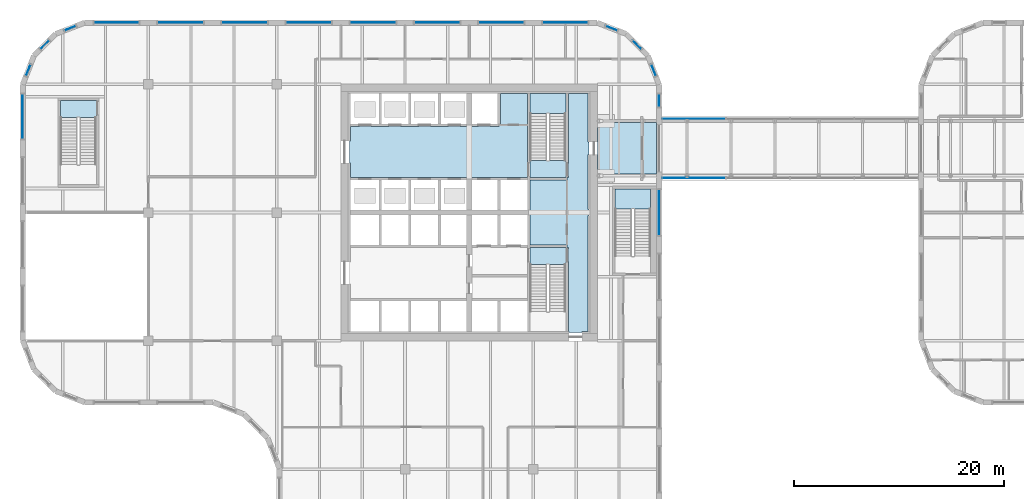
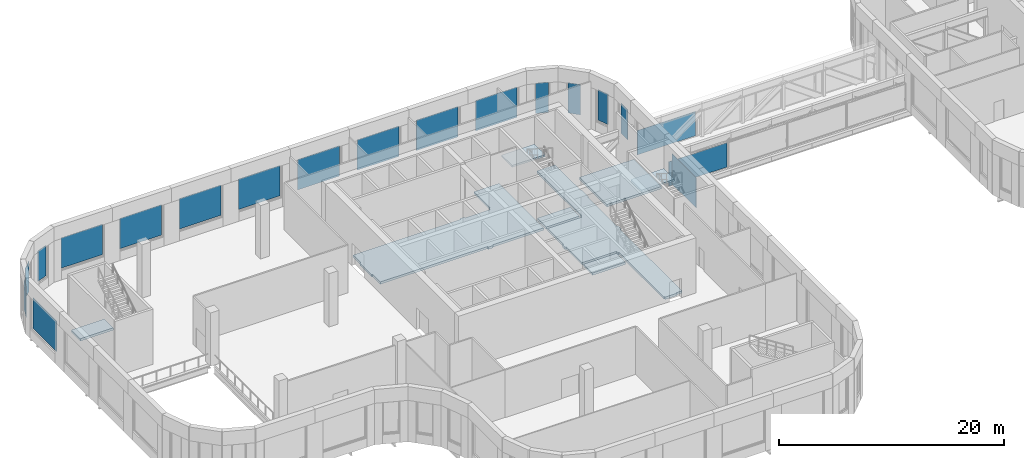
# One storey, part 17 of 36: 19 plates, 8 slabs, 21 elements without a shape of their own.
"""IFC4 building model written with IfcOpenShell, lengths in metres."""

from ifc_helpers import new_model, si_unit, direction, frame, origin, origin_2d, place, context, subcontext, project, spatial, polyline, rectangle, outline, extrude, material, layer, layer_set, type_object, element, aggregate, save


model = new_model("IFC4")

# Units and contexts
model_context = context("Model", 3, precision=1e-05, world=origin(), true_north=direction((0.0, 1.0)))
body_context = subcontext(model_context, "Body", "Model", "MODEL_VIEW")
ifc_project = project(units=[si_unit("LENGTHUNIT", "METRE"), si_unit("AREAUNIT", "SQUARE_METRE"), si_unit("VOLUMEUNIT", "CUBIC_METRE"), si_unit("PLANEANGLEUNIT", "RADIAN"), si_unit("MASSUNIT", "GRAM", prefix="KILO")], contexts=[model_context])

# Site, building, storey
site_placement = place(None, origin())
site = spatial("IfcSite", under=ifc_project, at=site_placement, CompositionType="ELEMENT")
building_placement = place(site_placement, origin())
building = spatial("IfcBuilding", under=site, at=building_placement, Name="Tessera Gate Towers", CompositionType="ELEMENT")
storey_placement = place(building_placement, frame((0.0, 0.0, 106.60009765625)))
storey = spatial("IfcBuildingStorey", under=building, at=storey_placement, Name="L26", CompositionType="ELEMENT", Elevation=106.60009765625)

# Slabs
ifc_material_1 = material(Name="Concrete C35/45", Category="concrete")
ifc_layer_1 = layer(ifc_material_1, 0.25)
ifc_layer_set_1 = layer_set([ifc_layer_1], Name="COMPOSITE FLOOR 250")
slab_type_1 = type_object("IfcSlabType", Name="COMPOSITE FLOOR 250", PredefinedType="FLOOR", material=ifc_layer_set_1)
slab_1_placement = place(storey_placement, frame((0.0, 0.0, -0.25)))
element("IfcSlab", 1, at=slab_1_placement, inside=storey, type_object=slab_type_1, Name="T1-L26-B1", PredefinedType="FLOOR", context=body_context, shape_type="SweptSolid", body=[
    extrude(outline(polyline([(54.89990234375, 40.2509765625), (60.5, 40.2509765625), (60.5, 45.14892578125), (54.89990234375, 45.14892578125), (54.89990234375, 40.2509765625)])), origin(), (0.0, 0.0, 1.0), 0.25),
])
ifc_material_2 = material(Name="Concrete C35/45", Category="concrete")
ifc_layer_2 = layer(ifc_material_2, 0.25)
ifc_layer_set_2 = layer_set([ifc_layer_2], Name="CORE FLOOR SLAB 250")
slab_type_2 = type_object("IfcSlabType", Name="CORE FLOOR SLAB 250", PredefinedType="FLOOR", material=ifc_layer_set_2)
slab_2_placement = place(storey_placement, frame((0.0, 0.0, -0.25)))
element("IfcSlab", 2, at=slab_2_placement, inside=storey, type_object=slab_type_2, Name="L26 core floor slab", PredefinedType="FLOOR", context=body_context, shape_type="SweptSolid", body=[
    extrude(outline(polyline([(42.449951171875, 44.89990234375), (42.449951171875, 44.77490234375), (31.39990234375, 44.77490234375), (31.39990234375, 43.39990234375), (31.300048828125, 43.39990234375), (31.300048828125, 41.300048828125), (31.39990234375, 41.300048828125), (31.39990234375, 39.925048828125), (42.449951171875, 39.925048828125), (42.449951171875, 39.800048828125), (42.949951171875, 39.800048828125), (42.949951171875, 39.925048828125), (48.22509765625, 39.925048828125), (48.22509765625, 47.89990234375), (45.64990234375, 47.89990234375), (45.64990234375, 45.02490234375), (45.52490234375, 45.02490234375), (45.52490234375, 44.77490234375), (42.949951171875, 44.77490234375), (42.949951171875, 44.89990234375), (42.449951171875, 44.89990234375)])), origin(), (0.0, 0.0, 1.0), 0.25),
])
slab_3_placement = place(storey_placement, frame((0.0, 0.0, -0.25)))
element("IfcSlab", 3, at=slab_3_placement, inside=storey, type_object=slab_type_2, Name="L26 core floor slab", PredefinedType="FLOOR", context=body_context, shape_type="SweptSolid", body=[
    extrude(outline(polyline([(48.35009765625, 36.85009765625), (48.35009765625, 36.35009765625), (48.47509765625, 36.35009765625), (48.47509765625, 33.52490234375), (52.0, 33.52490234375), (52.0, 33.27490234375), (52.125, 33.27490234375), (52.125, 25.300048828125), (52.199951171875, 25.300048828125), (52.199951171875, 25.199951171875), (53.39990234375, 25.199951171875), (53.39990234375, 25.300048828125), (54.0, 25.300048828125), (54.0, 36.320068359375), (54.10009765625, 36.320068359375), (54.10009765625, 36.8798828125), (54.0, 36.8798828125), (54.0, 42.10009765625), (54.10009765625, 42.10009765625), (54.10009765625, 43.300048828125), (54.0, 43.300048828125), (54.0, 47.89990234375), (52.125, 47.89990234375), (52.125, 39.925048828125), (52.0, 39.925048828125), (52.0, 39.675048828125), (48.47509765625, 39.675048828125), (48.47509765625, 36.85009765625), (48.35009765625, 36.85009765625)])), origin(), (0.0, 0.0, 1.0), 0.25),
])
slab_4_placement = place(storey_placement, frame((0.0, 0.0, -0.25)))
element("IfcSlab", 4, at=slab_4_placement, inside=storey, type_object=slab_type_2, Name="L26 core floor slab", PredefinedType="FLOOR", context=body_context, shape_type="SweptSolid", body=[
    extrude(outline(polyline([(48.47509765625, 33.27490234375), (48.47509765625, 31.675048828125), (51.875, 31.675048828125), (51.875, 33.27490234375), (48.47509765625, 33.27490234375)])), origin(), (0.0, 0.0, 1.0), 0.25),
])
slab_5_placement = place(storey_placement, frame((0.0, 0.0, -0.25)))
element("IfcSlab", 5, at=slab_5_placement, inside=storey, type_object=slab_type_2, Name="L26 core floor slab", PredefinedType="FLOOR", context=body_context, shape_type="SweptSolid", body=[
    extrude(outline(polyline([(48.47509765625, 41.52490234375), (48.47509765625, 39.925048828125), (51.875, 39.925048828125), (51.875, 41.52490234375), (48.47509765625, 41.52490234375)])), origin(), (0.0, 0.0, 1.0), 0.25),
])
slab_6_placement = place(storey_placement, frame((0.0, 0.0, -0.25)))
element("IfcSlab", 6, at=slab_6_placement, inside=storey, type_object=slab_type_2, Name="L26 ST3 floor landing", PredefinedType="FLOOR", context=body_context, shape_type="SweptSolid", body=[
    extrude(outline(polyline([(3.85009765625, 47.25), (3.85009765625, 45.64990234375), (7.25, 45.64990234375), (7.25, 47.25), (3.85009765625, 47.25)])), origin(), (0.0, 0.0, 1.0), 0.25),
])

# Stair, slab
ifc_material_3 = material(Name="Concrete C40/50", Category="concrete")
stair_type_1 = type_object("IfcStairType", Name="EXIT STAIR ST2C 1600", PredefinedType="HALF_TURN_STAIR", material=ifc_material_3)
stair_1_placement = place(storey_placement, origin())
stair_1 = element("IfcStair", 7, at=stair_1_placement, inside=storey, type_object=stair_type_1, Name="L26 Protected Exit Stair ST2", PredefinedType="HALF_TURN_STAIR")
ifc_material_4 = material(Name="Concrete C40/50", Category="concrete")
ifc_layer_3 = layer(ifc_material_4, 0.199951171875)
ifc_layer_set_3 = layer_set([ifc_layer_3], Name="EXIT STAIR LANDING 200")
slab_type_3 = type_object("IfcSlabType", Name="EXIT STAIR LANDING 200", PredefinedType="LANDING", material=ifc_layer_set_3)
slab_7_placement = place(storey_placement, frame((0.0, 0.0, 2.7998046875)))
slab_7 = element("IfcSlab", 8, at=slab_7_placement, type_object=slab_type_3, Name="ST2 landing 1", PredefinedType="LANDING", context=body_context, shape_type="SweptSolid", body=[
    extrude(outline(polyline([(51.875, 46.0048828125), (51.875, 47.89990234375), (48.47509765625, 47.89990234375), (48.47509765625, 46.0048828125), (51.875, 46.0048828125)])), origin(), (0.0, 0.0, 1.0), 0.2001953125),
])
aggregate(stair_1, [slab_7])

ifc_material_5 = material(Name="Concrete C40/50", Category="concrete")
stair_type_2 = type_object("IfcStairType", Name="EXIT STAIR ST5E 1600", PredefinedType="HALF_TURN_STAIR", material=ifc_material_5)
stair_2_placement = place(storey_placement, origin())
stair_2 = element("IfcStair", 9, at=stair_2_placement, inside=storey, type_object=stair_type_2, Name="L26 East Exit Stair ST5", PredefinedType="HALF_TURN_STAIR")
slab_8_placement = place(storey_placement, frame((0.0, 0.0, 2.7998046875)))
slab_8 = element("IfcSlab", 10, at=slab_8_placement, type_object=slab_type_3, Name="ST5 landing 1", PredefinedType="LANDING", context=body_context, shape_type="SweptSolid", body=[
    extrude(outline(polyline([(59.949951171875, 36.929931640625), (59.949951171875, 38.85009765625), (56.550048828125, 38.85009765625), (56.550048828125, 36.929931640625), (59.949951171875, 36.929931640625)])), origin(), (0.0, 0.0, 1.0), 0.2001953125),
])
aggregate(stair_2, [slab_8])

# Curtain wall, plate
ifc_material_6 = material(Name="Aluminium frame", Category="aluminium")
curtain_wall_type_1 = type_object("IfcCurtainWallType", Name="CW-S3 amenity floor glazing", PredefinedType="NOTDEFINED", material=ifc_material_6)
curtain_wall_1_placement = place(storey_placement, origin())
curtain_wall_1 = element("IfcCurtainWall", 11, at=curtain_wall_1_placement, inside=storey, type_object=curtain_wall_type_1, Name="Curtain wall amenity floor glazing 0013", PredefinedType="NOTDEFINED")
ifc_material_7 = material(Name="Low-e laminated glass", Category="glass")
ifc_layer_4 = layer(ifc_material_7, 0.035888671875)
ifc_layer_set_4 = layer_set([ifc_layer_4], Name="PN-S3 glass panel 36")
plate_type_1 = type_object("IfcPlateType", Name="PN-S3 glass panel 36", PredefinedType="CURTAIN_PANEL", material=ifc_layer_set_4)
plate_1_placement = place(storey_placement, frame((60.75, 36.60009765625, 1.10009765625), z_axis=(0.0, 0.0, 1.0), x_axis=(0.0, 1.0, 0.0)))
plate_1 = element("IfcPlate", 12, at=plate_1_placement, type_object=plate_type_1, Name="T1-CW3-0013 panel 1.1", PredefinedType="CURTAIN_PANEL", context=body_context, shape_type="SweptSolid", body=[
    extrude(rectangle(XDim=4.300048828125, YDim=0.035888671875, at=origin_2d()), origin(), (0.0, 0.0, 1.0), 3.300048828125),
])
aggregate(curtain_wall_1, [plate_1])

curtain_wall_2_placement = place(storey_placement, origin())
curtain_wall_2 = element("IfcCurtainWall", 13, at=curtain_wall_2_placement, inside=storey, type_object=curtain_wall_type_1, Name="Curtain wall amenity floor glazing 0014", PredefinedType="NOTDEFINED")
plate_2_placement = place(storey_placement, frame((60.75, 47.251708984375, 1.10009765625), z_axis=(0.0, 0.0, 1.0), x_axis=(0.0, 1.0, 0.0)))
plate_2 = element("IfcPlate", 14, at=plate_2_placement, type_object=plate_type_1, Name="T1-CW3-0014 panel 1.1", PredefinedType="CURTAIN_PANEL", context=body_context, shape_type="SweptSolid", body=[
    extrude(rectangle(XDim=1.203369140625, YDim=0.035888671875, at=origin_2d()), origin(), (0.0, 0.0, 1.0), 3.300048828125),
])
aggregate(curtain_wall_2, [plate_2])

curtain_wall_3_placement = place(storey_placement, origin())
curtain_wall_3 = element("IfcCurtainWall", 15, at=curtain_wall_3_placement, inside=storey, type_object=curtain_wall_type_1, Name="Curtain wall amenity floor glazing 0015", PredefinedType="NOTDEFINED")
plate_3_placement = place(storey_placement, frame((60.218994140625, 50.1298828125, 1.10009765625), z_axis=(0.0, 0.0, 1.0), x_axis=(-0.359904070394, 0.932989314041, 0.0)))
plate_3 = element("IfcPlate", 16, at=plate_3_placement, type_object=plate_type_1, Name="T1-CW3-0015 panel 1.1", PredefinedType="CURTAIN_PANEL", context=body_context, shape_type="SweptSolid", body=[
    extrude(rectangle(XDim=1.150634765625, YDim=0.035888671875, at=origin_2d()), origin(), (0.0, 0.0, 1.0), 3.300048828125),
])
aggregate(curtain_wall_3, [plate_3])

curtain_wall_4_placement = place(storey_placement, origin())
curtain_wall_4 = element("IfcCurtainWall", 17, at=curtain_wall_4_placement, inside=storey, type_object=curtain_wall_type_1, Name="Curtain wall amenity floor glazing 0016", PredefinedType="NOTDEFINED")
plate_4_placement = place(storey_placement, frame((58.647216796875, 52.547119140625, 1.10009765625), z_axis=(0.0, 0.0, 1.0), x_axis=(-0.707106781187, 0.707106781187, 0.0)))
plate_4 = element("IfcPlate", 18, at=plate_4_placement, type_object=plate_type_1, Name="T1-CW3-0016 panel 1.1", PredefinedType="CURTAIN_PANEL", context=body_context, shape_type="SweptSolid", body=[
    extrude(rectangle(XDim=1.14404296875, YDim=0.035888671875, at=origin_2d()), origin(), (0.0, 0.0, 1.0), 3.300048828125),
])
aggregate(curtain_wall_4, [plate_4])

curtain_wall_5_placement = place(storey_placement, origin())
curtain_wall_5 = element("IfcCurtainWall", 19, at=curtain_wall_5_placement, inside=storey, type_object=curtain_wall_type_1, Name="Curtain wall amenity floor glazing 0017", PredefinedType="NOTDEFINED")
plate_5_placement = place(storey_placement, frame((56.22998046875, 54.119140625, 1.10009765625), z_axis=(0.0, 0.0, 1.0), x_axis=(-0.932989314041, 0.359904070394, 0.0)))
plate_5 = element("IfcPlate", 20, at=plate_5_placement, type_object=plate_type_1, Name="T1-CW3-0017 panel 1.1", PredefinedType="CURTAIN_PANEL", context=body_context, shape_type="SweptSolid", body=[
    extrude(rectangle(XDim=1.150634765625, YDim=0.035888671875, at=origin_2d()), origin(), (0.0, 0.0, 1.0), 3.300048828125),
])
aggregate(curtain_wall_5, [plate_5])

curtain_wall_6_placement = place(storey_placement, origin())
curtain_wall_6 = element("IfcCurtainWall", 21, at=curtain_wall_6_placement, inside=storey, type_object=curtain_wall_type_1, Name="Curtain wall amenity floor glazing 0018", PredefinedType="NOTDEFINED")
plate_6_placement = place(storey_placement, frame((51.82666015625, 54.64990234375, 1.10009765625), z_axis=(0.0, 0.0, 1.0), x_axis=(-1.0, 0.0, 0.0)))
plate_6 = element("IfcPlate", 22, at=plate_6_placement, type_object=plate_type_1, Name="T1-CW3-0018 panel 1.1", PredefinedType="CURTAIN_PANEL", context=body_context, shape_type="SweptSolid", body=[
    extrude(rectangle(XDim=4.25341796875, YDim=0.035888671875, at=origin_2d()), origin(), (0.0, 0.0, 1.0), 3.300048828125),
])
aggregate(curtain_wall_6, [plate_6])

curtain_wall_7_placement = place(storey_placement, origin())
curtain_wall_7 = element("IfcCurtainWall", 23, at=curtain_wall_7_placement, inside=storey, type_object=curtain_wall_type_1, Name="Curtain wall amenity floor glazing 0019", PredefinedType="NOTDEFINED")
plate_7_placement = place(storey_placement, frame((45.75, 54.64990234375, 1.10009765625), z_axis=(0.0, 0.0, 1.0), x_axis=(-1.0, 0.0, 0.0)))
plate_7 = element("IfcPlate", 24, at=plate_7_placement, type_object=plate_type_1, Name="T1-CW3-0019 panel 1.1", PredefinedType="CURTAIN_PANEL", context=body_context, shape_type="SweptSolid", body=[
    extrude(rectangle(XDim=4.300048828125, YDim=0.035888671875, at=origin_2d()), origin(), (0.0, 0.0, 1.0), 3.300048828125),
])
aggregate(curtain_wall_7, [plate_7])

curtain_wall_8_placement = place(storey_placement, origin())
curtain_wall_8 = element("IfcCurtainWall", 25, at=curtain_wall_8_placement, inside=storey, type_object=curtain_wall_type_1, Name="Curtain wall amenity floor glazing 0020", PredefinedType="NOTDEFINED")
plate_8_placement = place(storey_placement, frame((39.64990234375, 54.64990234375, 1.10009765625), z_axis=(0.0, 0.0, 1.0), x_axis=(-1.0, 0.0, 0.0)))
plate_8 = element("IfcPlate", 26, at=plate_8_placement, type_object=plate_type_1, Name="T1-CW3-0020 panel 1.1", PredefinedType="CURTAIN_PANEL", context=body_context, shape_type="SweptSolid", body=[
    extrude(rectangle(XDim=4.300048828125, YDim=0.035888671875, at=origin_2d()), origin(), (0.0, 0.0, 1.0), 3.300048828125),
])
aggregate(curtain_wall_8, [plate_8])

curtain_wall_9_placement = place(storey_placement, origin())
curtain_wall_9 = element("IfcCurtainWall", 27, at=curtain_wall_9_placement, inside=storey, type_object=curtain_wall_type_1, Name="Curtain wall amenity floor glazing 0021", PredefinedType="NOTDEFINED")
plate_9_placement = place(storey_placement, frame((33.550048828125, 54.64990234375, 1.10009765625), z_axis=(0.0, 0.0, 1.0), x_axis=(-1.0, 0.0, 0.0)))
plate_9 = element("IfcPlate", 28, at=plate_9_placement, type_object=plate_type_1, Name="T1-CW3-0021 panel 1.1", PredefinedType="CURTAIN_PANEL", context=body_context, shape_type="SweptSolid", body=[
    extrude(rectangle(XDim=4.300048828125, YDim=0.035888671875, at=origin_2d()), origin(), (0.0, 0.0, 1.0), 3.300048828125),
])
aggregate(curtain_wall_9, [plate_9])

curtain_wall_10_placement = place(storey_placement, origin())
curtain_wall_10 = element("IfcCurtainWall", 29, at=curtain_wall_10_placement, inside=storey, type_object=curtain_wall_type_1, Name="Curtain wall amenity floor glazing 0022", PredefinedType="NOTDEFINED")
plate_10_placement = place(storey_placement, frame((27.449951171875, 54.64990234375, 1.10009765625), z_axis=(0.0, 0.0, 1.0), x_axis=(-1.0, 0.0, 0.0)))
plate_10 = element("IfcPlate", 30, at=plate_10_placement, type_object=plate_type_1, Name="T1-CW3-0022 panel 1.1", PredefinedType="CURTAIN_PANEL", context=body_context, shape_type="SweptSolid", body=[
    extrude(rectangle(XDim=4.300048828125, YDim=0.035888671875, at=origin_2d()), origin(), (0.0, 0.0, 1.0), 3.300048828125),
])
aggregate(curtain_wall_10, [plate_10])

curtain_wall_11_placement = place(storey_placement, origin())
curtain_wall_11 = element("IfcCurtainWall", 31, at=curtain_wall_11_placement, inside=storey, type_object=curtain_wall_type_1, Name="Curtain wall amenity floor glazing 0023", PredefinedType="NOTDEFINED")
plate_11_placement = place(storey_placement, frame((21.35009765625, 54.64990234375, 1.10009765625), z_axis=(0.0, 0.0, 1.0), x_axis=(-1.0, 0.0, 0.0)))
plate_11 = element("IfcPlate", 32, at=plate_11_placement, type_object=plate_type_1, Name="T1-CW3-0023 panel 1.1", PredefinedType="CURTAIN_PANEL", context=body_context, shape_type="SweptSolid", body=[
    extrude(rectangle(XDim=4.300048828125, YDim=0.035888671875, at=origin_2d()), origin(), (0.0, 0.0, 1.0), 3.300048828125),
])
aggregate(curtain_wall_11, [plate_11])

curtain_wall_12_placement = place(storey_placement, origin())
curtain_wall_12 = element("IfcCurtainWall", 33, at=curtain_wall_12_placement, inside=storey, type_object=curtain_wall_type_1, Name="Curtain wall amenity floor glazing 0024", PredefinedType="NOTDEFINED")
plate_12_placement = place(storey_placement, frame((15.25, 54.64990234375, 1.10009765625), z_axis=(0.0, 0.0, 1.0), x_axis=(-1.0, 0.0, 0.0)))
plate_12 = element("IfcPlate", 34, at=plate_12_placement, type_object=plate_type_1, Name="T1-CW3-0024 panel 1.1", PredefinedType="CURTAIN_PANEL", context=body_context, shape_type="SweptSolid", body=[
    extrude(rectangle(XDim=4.300048828125, YDim=0.035888671875, at=origin_2d()), origin(), (0.0, 0.0, 1.0), 3.300048828125),
])
aggregate(curtain_wall_12, [plate_12])

curtain_wall_13_placement = place(storey_placement, origin())
curtain_wall_13 = element("IfcCurtainWall", 35, at=curtain_wall_13_placement, inside=storey, type_object=curtain_wall_type_1, Name="Curtain wall amenity floor glazing 0025", PredefinedType="NOTDEFINED")
plate_13_placement = place(storey_placement, frame((9.17333984375, 54.64990234375, 1.10009765625), z_axis=(0.0, 0.0, 1.0), x_axis=(-1.0, 0.0, 0.0)))
plate_13 = element("IfcPlate", 36, at=plate_13_placement, type_object=plate_type_1, Name="T1-CW3-0025 panel 1.1", PredefinedType="CURTAIN_PANEL", context=body_context, shape_type="SweptSolid", body=[
    extrude(rectangle(XDim=4.25341796875, YDim=0.035888671875, at=origin_2d()), origin(), (0.0, 0.0, 1.0), 3.300048828125),
])
aggregate(curtain_wall_13, [plate_13])

curtain_wall_14_placement = place(storey_placement, origin())
curtain_wall_14 = element("IfcCurtainWall", 37, at=curtain_wall_14_placement, inside=storey, type_object=curtain_wall_type_1, Name="Curtain wall amenity floor glazing 0026", PredefinedType="NOTDEFINED")
plate_14_placement = place(storey_placement, frame((4.77001953125, 54.119140625, 1.10009765625), z_axis=(0.0, 0.0, 1.0), x_axis=(-0.932989314041, -0.359904070394, 0.0)))
plate_14 = element("IfcPlate", 38, at=plate_14_placement, type_object=plate_type_1, Name="T1-CW3-0026 panel 1.1", PredefinedType="CURTAIN_PANEL", context=body_context, shape_type="SweptSolid", body=[
    extrude(rectangle(XDim=1.150634765625, YDim=0.035888671875, at=origin_2d()), origin(), (0.0, 0.0, 1.0), 3.300048828125),
])
aggregate(curtain_wall_14, [plate_14])

curtain_wall_15_placement = place(storey_placement, origin())
curtain_wall_15 = element("IfcCurtainWall", 39, at=curtain_wall_15_placement, inside=storey, type_object=curtain_wall_type_1, Name="Curtain wall amenity floor glazing 0027", PredefinedType="NOTDEFINED")
plate_15_placement = place(storey_placement, frame((2.352783203125, 52.547119140625, 1.10009765625), z_axis=(0.0, 0.0, 1.0), x_axis=(-0.707106781187, -0.707106781187, 0.0)))
plate_15 = element("IfcPlate", 40, at=plate_15_placement, type_object=plate_type_1, Name="T1-CW3-0027 panel 1.1", PredefinedType="CURTAIN_PANEL", context=body_context, shape_type="SweptSolid", body=[
    extrude(rectangle(XDim=1.14404296875, YDim=0.035888671875, at=origin_2d()), origin(), (0.0, 0.0, 1.0), 3.300048828125),
])
aggregate(curtain_wall_15, [plate_15])

curtain_wall_16_placement = place(storey_placement, origin())
curtain_wall_16 = element("IfcCurtainWall", 41, at=curtain_wall_16_placement, inside=storey, type_object=curtain_wall_type_1, Name="Curtain wall amenity floor glazing 0028", PredefinedType="NOTDEFINED")
plate_16_placement = place(storey_placement, frame((0.781005859375, 50.1298828125, 1.10009765625), z_axis=(0.0, 0.0, 1.0), x_axis=(-0.359904070394, -0.932989314041, 0.0)))
plate_16 = element("IfcPlate", 42, at=plate_16_placement, type_object=plate_type_1, Name="T1-CW3-0028 panel 1.1", PredefinedType="CURTAIN_PANEL", context=body_context, shape_type="SweptSolid", body=[
    extrude(rectangle(XDim=1.150634765625, YDim=0.035888671875, at=origin_2d()), origin(), (0.0, 0.0, 1.0), 3.300048828125),
])
aggregate(curtain_wall_16, [plate_16])

curtain_wall_17_placement = place(storey_placement, origin())
curtain_wall_17 = element("IfcCurtainWall", 43, at=curtain_wall_17_placement, inside=storey, type_object=curtain_wall_type_1, Name="Curtain wall amenity floor glazing 0029", PredefinedType="NOTDEFINED")
plate_17_placement = place(storey_placement, frame((0.25, 45.726806640625, 1.10009765625), z_axis=(0.0, 0.0, 1.0), x_axis=(0.0, -1.0, 0.0)))
plate_17 = element("IfcPlate", 44, at=plate_17_placement, type_object=plate_type_1, Name="T1-CW3-0029 panel 1.1", PredefinedType="CURTAIN_PANEL", context=body_context, shape_type="SweptSolid", body=[
    extrude(rectangle(XDim=4.25341796875, YDim=0.035888671875, at=origin_2d()), origin(), (0.0, 0.0, 1.0), 3.300048828125),
])
aggregate(curtain_wall_17, [plate_17])

ifc_material_8 = material(Name="Aluminium frame", Category="aluminium")
curtain_wall_type_2 = type_object("IfcCurtainWallType", Name="CW-S5 bridge enclosure", PredefinedType="NOTDEFINED", material=ifc_material_8)
curtain_wall_18_placement = place(storey_placement, origin())
curtain_wall_18 = element("IfcCurtainWall", 45, at=curtain_wall_18_placement, inside=storey, type_object=curtain_wall_type_2, Name="Curtain wall bridge enclosure 0226", PredefinedType="NOTDEFINED")
ifc_material_9 = material(Name="Low-e laminated glass", Category="glass")
ifc_layer_5 = layer(ifc_material_9, 0.030029296875)
ifc_layer_set_5 = layer_set([ifc_layer_5], Name="PN-S5 glass panel 30")
plate_type_2 = type_object("IfcPlateType", Name="PN-S5 glass panel 30", PredefinedType="CURTAIN_PANEL", material=ifc_layer_set_5)
plate_18_placement = place(storey_placement, frame((64.050048828125, 39.89208984375, 0.06005859375), z_axis=(0.0, 0.0, 1.0), x_axis=(1.0, 0.0, 0.0)))
plate_18 = element("IfcPlate", 46, at=plate_18_placement, type_object=plate_type_2, Name="BR2-CW5-0226 panel 1.1", PredefinedType="CURTAIN_PANEL", context=body_context, shape_type="SweptSolid", body=[
    extrude(rectangle(XDim=5.97998046875, YDim=0.030029296875, at=origin_2d()), origin(), (0.0, 0.0, 1.0), 2.64892578125),
])
aggregate(curtain_wall_18, [plate_18])

curtain_wall_19_placement = place(storey_placement, origin())
curtain_wall_19 = element("IfcCurtainWall", 47, at=curtain_wall_19_placement, inside=storey, type_object=curtain_wall_type_2, Name="Curtain wall bridge enclosure 0230", PredefinedType="NOTDEFINED")
plate_19_placement = place(storey_placement, frame((64.050048828125, 45.508056640625, 0.06005859375), z_axis=(0.0, 0.0, 1.0), x_axis=(1.0, 0.0, 0.0)))
plate_19 = element("IfcPlate", 48, at=plate_19_placement, type_object=plate_type_2, Name="BR2-CW5-0230 panel 1.1", PredefinedType="CURTAIN_PANEL", context=body_context, shape_type="SweptSolid", body=[
    extrude(rectangle(XDim=5.97998046875, YDim=0.030029296875, at=origin_2d()), origin(), (0.0, 0.0, 1.0), 2.64892578125),
])
aggregate(curtain_wall_19, [plate_19])

save(model, "model.ifc")
